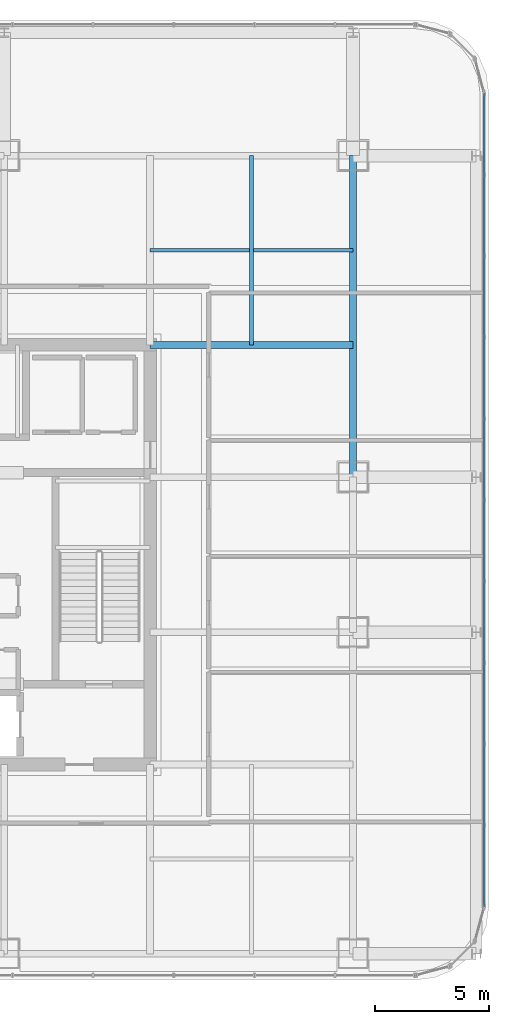
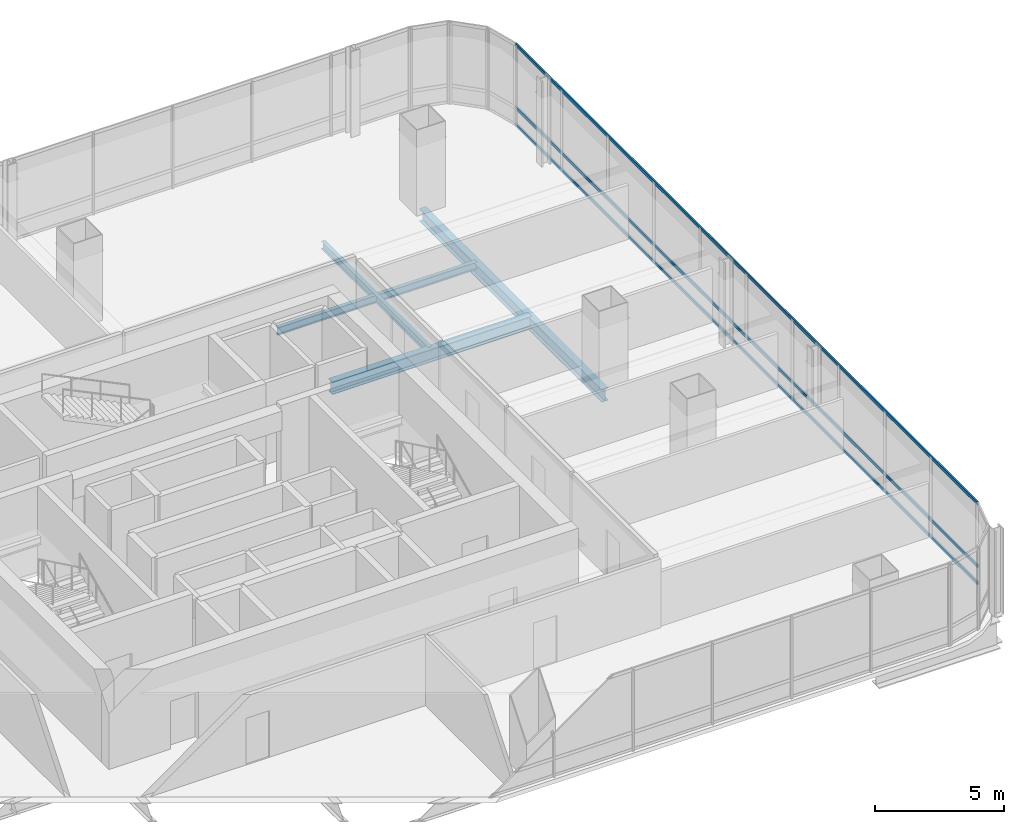
# One storey, part 20 of 39: 4 beams, 3 members, 1 element without a shape of its own.
"""IFC4 building model written with IfcOpenShell, lengths in metres."""

from ifc_helpers import new_model, si_unit, direction, frame, origin, origin_2d, place, context, subcontext, project, spatial, hollow_rectangle, i_section, extrude, material, material_profile, profile_set, type_object, element, aggregate, save


model = new_model("IFC4")

# Units and contexts
model_context = context("Model", 3, precision=1e-05, world=origin(), true_north=direction((0.0, 1.0)))
body_context = subcontext(model_context, "Body", "Model", "MODEL_VIEW")
ifc_project = project(units=[si_unit("LENGTHUNIT", "METRE"), si_unit("AREAUNIT", "SQUARE_METRE"), si_unit("VOLUMEUNIT", "CUBIC_METRE"), si_unit("PLANEANGLEUNIT", "RADIAN"), si_unit("MASSUNIT", "GRAM", prefix="KILO")], contexts=[model_context])

# Site, building, storey
site_placement = place(None, origin())
site = spatial("IfcSite", under=ifc_project, at=site_placement, CompositionType="ELEMENT")
building_placement = place(site_placement, origin())
building = spatial("IfcBuilding", under=site, at=building_placement, Name="Punatoya Terracotta Tower", CompositionType="ELEMENT")
storey_placement = place(building_placement, frame((0.0, 0.0, 275.699951171875)))
storey = spatial("IfcBuildingStorey", under=building, at=storey_placement, Name="L65", CompositionType="ELEMENT", Elevation=275.699951171875)

# Beams
ifc_material_1 = material(Name="Steel S355", Category="steel")
ifc_material_profile_1 = material_profile(ifc_material_1, i_section(OverallWidth=0.300048828125, OverallDepth=0.60009765625, WebThickness=0.015380859375, FlangeThickness=0.030029296875, FilletRadius=0.01806640625, at=origin_2d()))
ifc_profile_set_1 = profile_set([ifc_material_profile_1], Name="Steel S355")
beam_type_1 = type_object("IfcBeamType", Name="BM-PRI-600", PredefinedType="BEAM", material=ifc_profile_set_1)
beam_1_placement = place(storey_placement, frame((19.10009765625, 3.39990234375, -0.5), z_axis=(0.0, 1.0, 0.0), x_axis=(-1.0, 0.0, 0.0)))
element("IfcBeam", 1, at=beam_1_placement, inside=storey, type_object=beam_type_1, Name="BM-L65-RG-E3", PredefinedType="BEAM", context=body_context, shape_type="SweptSolid", body=[
    extrude(i_section(OverallWidth=0.300048828125, OverallDepth=0.60009765625, WebThickness=0.015380859375, FlangeThickness=0.030029296875, FilletRadius=0.01806640625, at=origin_2d()), origin(), (0.0, 0.0, 1.0), 14.10009765625),
])
beam_2_placement = place(storey_placement, frame((10.199951171875, 9.199951171875, -0.5), z_axis=(1.0, 0.0, 0.0), x_axis=(0.0, 1.0, 0.0)))
element("IfcBeam", 2, at=beam_2_placement, inside=storey, type_object=beam_type_1, Name="BM-L65-PR-EN", PredefinedType="BEAM", context=body_context, shape_type="SweptSolid", body=[
    extrude(i_section(OverallWidth=0.300048828125, OverallDepth=0.60009765625, WebThickness=0.015380859375, FlangeThickness=0.030029296875, FilletRadius=0.01806640625, at=origin_2d()), origin(), (0.0, 0.0, 1.0), 8.900146484375),
])
ifc_material_profile_2 = material_profile(ifc_material_1, i_section(OverallWidth=0.169921875, OverallDepth=0.360107421875, WebThickness=0.008056640625, FlangeThickness=0.0126953125, FilletRadius=0.01806640625, at=origin_2d()))
ifc_profile_set_2 = profile_set([ifc_material_profile_2], Name="Steel S355")
beam_type_2 = type_object("IfcBeamType", Name="BM-SEC-360", PredefinedType="JOIST", material=ifc_profile_set_2)
beam_3_placement = place(storey_placement, frame((10.199951171875, 13.35009765625, -0.3798828125), z_axis=(1.0, 0.0, 0.0), x_axis=(0.0, 1.0, 0.0)))
element("IfcBeam", 3, at=beam_3_placement, inside=storey, type_object=beam_type_2, Name="BM-L65-SJN-2", PredefinedType="JOIST", context=body_context, shape_type="SweptSolid", body=[
    extrude(i_section(OverallWidth=0.169921875, OverallDepth=0.360107421875, WebThickness=0.008056640625, FlangeThickness=0.0126953125, FilletRadius=0.01806640625, at=origin_2d()), origin(), (0.0, 0.0, 1.0), 8.900146484375),
])
beam_4_placement = place(storey_placement, frame((14.64990234375, 9.199951171875, -0.3798828125), z_axis=(0.0, 1.0, 0.0), x_axis=(-1.0, 0.0, 0.0)))
element("IfcBeam", 4, at=beam_4_placement, inside=storey, type_object=beam_type_2, Name="BM-L65-SJE-2", PredefinedType="JOIST", context=body_context, shape_type="SweptSolid", body=[
    extrude(i_section(OverallWidth=0.169921875, OverallDepth=0.360107421875, WebThickness=0.008056640625, FlangeThickness=0.0126953125, FilletRadius=0.01806640625, at=origin_2d()), origin(), (0.0, 0.0, 1.0), 8.300048828125),
])

# Curtain wall, members
ifc_material_2 = material(Name="Aluminium 6063-T6 + Double Low-E Glass", Category="aluminium")
curtain_wall_type = type_object("IfcCurtainWallType", Name="CW-M3", PredefinedType="NOTDEFINED", material=ifc_material_2)
curtain_wall_placement = place(storey_placement, origin())
curtain_wall = element("IfcCurtainWall", 5, at=curtain_wall_placement, inside=storey, type_object=curtain_wall_type, Name="L65 Curtain Wall CW-L65-E05-1", PredefinedType="NOTDEFINED")
ifc_material_3 = material(Name="Aluminium 6063-T6", Category="aluminium")
ifc_material_profile_3 = material_profile(ifc_material_3, hollow_rectangle(XDim=0.068115234375, YDim=0.14990234375, WallThickness=0.00390625, at=origin_2d()))
ifc_profile_set_3 = profile_set([ifc_material_profile_3], Name="Aluminium 6063-T6")
member_type = type_object("IfcMemberType", Name="CW-TRN-TYP", PredefinedType="USERDEFINED", material=ifc_profile_set_3)
member_1_placement = place(storey_placement, frame((24.85009765625, -15.43701171875, 0.0400390625), z_axis=(0.0, 1.0, 0.0), x_axis=(-1.0, 0.0, 0.0)))
member_1 = element("IfcMember", 6, at=member_1_placement, type_object=member_type, Name="CW-L65-E05-1 Transom 1", ObjectType="TRANSOM", PredefinedType="USERDEFINED", context=body_context, shape_type="SweptSolid", body=[
    extrude(hollow_rectangle(XDim=0.068115234375, YDim=0.14990234375, WallThickness=0.00390625, at=origin_2d()), origin(), (0.0, 0.0, 1.0), 35.673828125),
])
member_2_placement = place(storey_placement, frame((24.85009765625, -15.43701171875, 0.85009765625), z_axis=(0.0, 1.0, 0.0), x_axis=(-1.0, 0.0, 0.0)))
member_2 = element("IfcMember", 7, at=member_2_placement, type_object=member_type, Name="CW-L65-E05-1 Transom 2", ObjectType="TRANSOM", PredefinedType="USERDEFINED", context=body_context, shape_type="SweptSolid", body=[
    extrude(hollow_rectangle(XDim=0.068115234375, YDim=0.14990234375, WallThickness=0.00390625, at=origin_2d()), origin(), (0.0, 0.0, 1.0), 35.673828125),
])
member_3_placement = place(storey_placement, frame((24.85009765625, -15.43701171875, 3.81005859375), z_axis=(0.0, 1.0, 0.0), x_axis=(-1.0, 0.0, 0.0)))
member_3 = element("IfcMember", 8, at=member_3_placement, type_object=member_type, Name="CW-L65-E05-1 Transom 3", ObjectType="TRANSOM", PredefinedType="USERDEFINED", context=body_context, shape_type="SweptSolid", body=[
    extrude(hollow_rectangle(XDim=0.068115234375, YDim=0.14990234375, WallThickness=0.00390625, at=origin_2d()), origin(), (0.0, 0.0, 1.0), 35.673828125),
])
aggregate(curtain_wall, [member_1, member_2, member_3])

save(model, "model.ifc")
